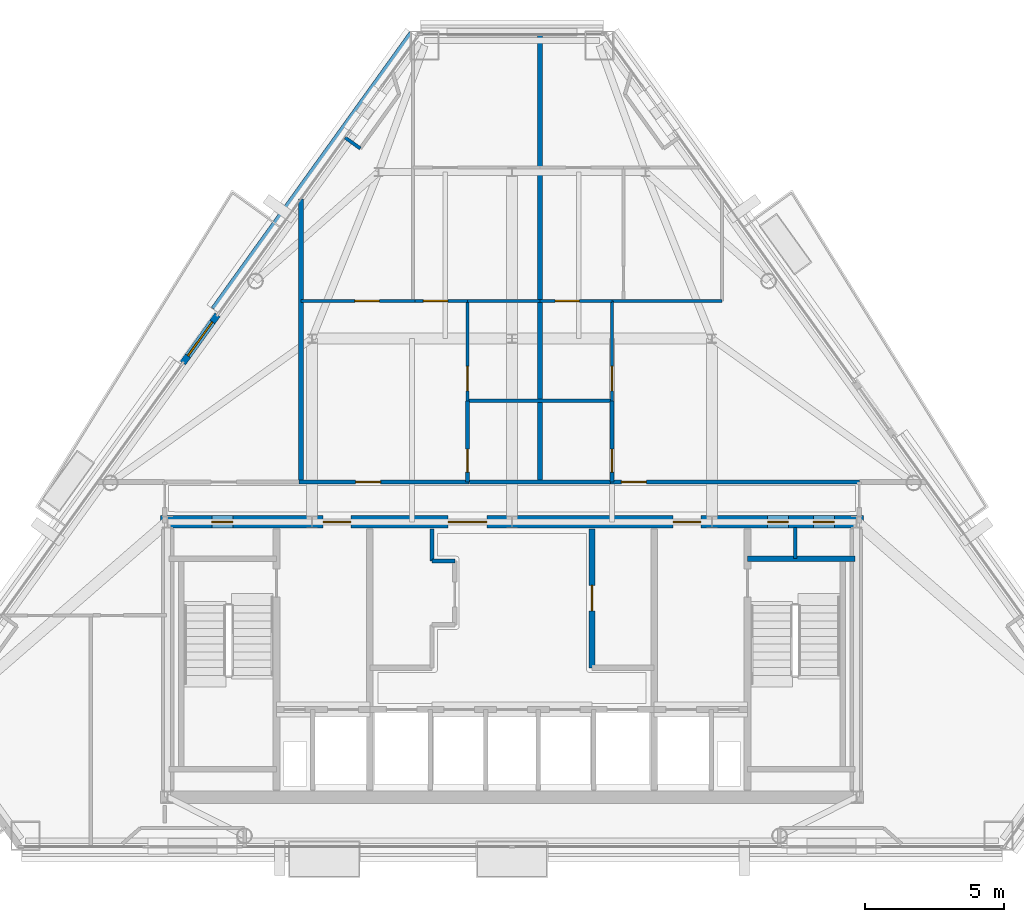
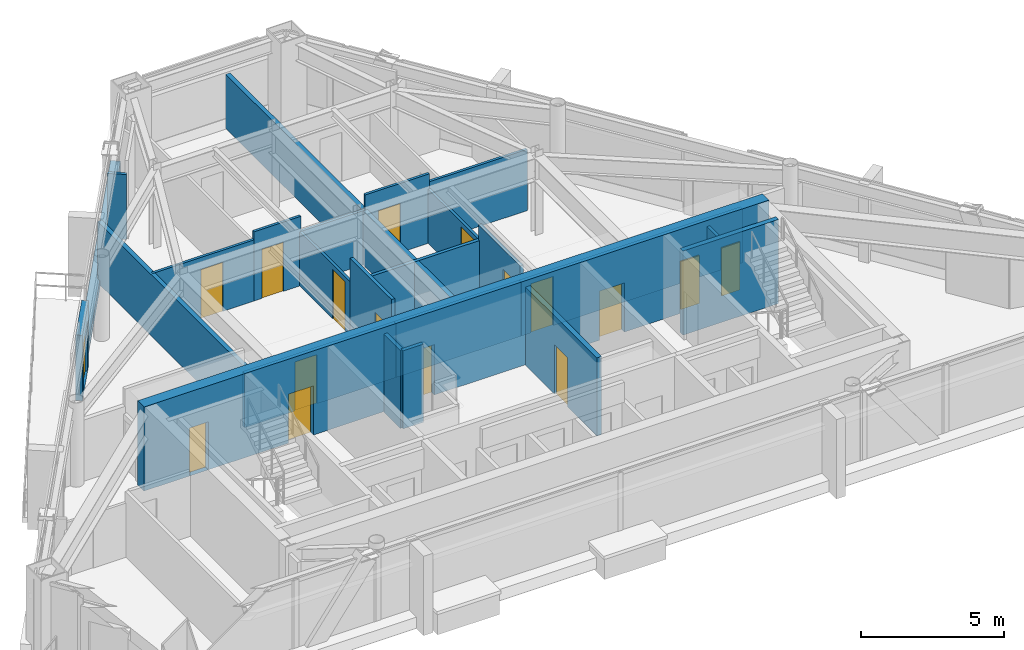
# One storey, part 8 of 11: 24 walls, 17 doors, 17 openings.
"""IFC4 building model written with IfcOpenShell, lengths in metres."""

from ifc_helpers import new_model, si_unit, direction, frame, frame_2d, origin, place, context, subcontext, project, spatial, rectangle, extrude, material, layer, layer_set, type_object, element, fill, save


model = new_model("IFC4")

# Units and contexts
model_context = context("Model", 3, precision=1e-05, world=origin(), true_north=direction((0.0, 1.0)))
body_context = subcontext(model_context, "Body", "Model", "MODEL_VIEW")
ifc_project = project(units=[si_unit("LENGTHUNIT", "METRE"), si_unit("AREAUNIT", "SQUARE_METRE"), si_unit("VOLUMEUNIT", "CUBIC_METRE"), si_unit("PLANEANGLEUNIT", "RADIAN"), si_unit("MASSUNIT", "GRAM", prefix="KILO")], contexts=[model_context])

# Site, building, storey
site_placement = place(None, origin())
site = spatial("IfcSite", under=ifc_project, at=site_placement, CompositionType="ELEMENT")
building_placement = place(site_placement, origin())
building = spatial("IfcBuilding", under=site, at=building_placement, Name="Talgorran Terracotta Tower", CompositionType="ELEMENT")
storey_placement = place(building_placement, frame((0.0, 0.0, 210.89990234375)))
storey = spatial("IfcBuildingStorey", under=building, at=storey_placement, Name="L55", CompositionType="ELEMENT", Elevation=210.89990234375)

# Wall, opening, door
ifc_material_1 = material(Name="Concrete C40/50", Category="concrete")
ifc_layer_1 = layer(ifc_material_1, 0.239990234375, Name="WT_BALCONY_SPAND")
ifc_layer_set_1 = layer_set([ifc_layer_1], Name="Concrete C40/50")
wall_type_1 = type_object("IfcWallType", Name="WT_BALCONY_SPAND", PredefinedType="STANDARD", material=ifc_layer_set_1)
wall_1_placement = place(storey_placement, frame((-10.60107421875, 3.2587890625, -0.014892578125), z_axis=(0.0, 0.0, 1.0), x_axis=(-0.583556118157, -0.812072815061, 0.0)))
wall_1 = element("IfcWall", 1, at=wall_1_placement, inside=storey, type_object=wall_type_1, Name="WL-L55-BALP-BAL-NW", PredefinedType="STANDARD", context=body_context, shape_type="SweptSolid", body=[
    extrude(rectangle(XDim=2.139892578125, YDim=0.239990234375, at=frame_2d((1.06982421875, 0.0))), origin(), (0.0, 0.0, 1.0), 2.802001953125),
])
opening_1_placement = place(wall_1_placement, frame((0.320068359375, 0.0, 0.014892578125)))
opening_1 = element("IfcOpeningElement", 2, at=opening_1_placement, cuts=wall_1, Name="Opening D-BAL-L55-2", PredefinedType="OPENING", context=body_context, shape_type="SweptSolid", body=[
    extrude(rectangle(XDim=1.506, YDim=2.203951171875, at=frame_2d((0.75, 1.10205078125))), frame((0.0, 0.1298828125, 0.0), z_axis=(0.0, -1.0, 0.0), x_axis=(1.0, 0.0, 0.0)), (0.0, 0.0, 1.0), 0.260009765625),
])
ifc_material_2 = material(Name="Thermally Broken Aluminium", Category="aluminium")
door_type_1 = type_object("IfcDoorType", Name="DT_BALC_1500", OperationType="SLIDING_TO_RIGHT", PredefinedType="DOOR", material=ifc_material_2)
door_1_placement = place(opening_1_placement, origin())
door_1 = element("IfcDoor", 3, at=door_1_placement, inside=storey, type_object=door_type_1, Name="DR-L55-BAL-BAL-NW", OperationType="SLIDING_TO_RIGHT", OverallHeight=2.199951171875, OverallWidth=1.5, PredefinedType="DOOR", context=body_context, shape_type="SweptSolid", body=[
    extrude(rectangle(XDim=1.5, YDim=2.199951171875, at=frame_2d((0.75, 1.10009765625))), frame((0.0, 0.02490234375, 0.0), z_axis=(0.0, -1.0, 0.0), x_axis=(1.0, 0.0, 0.0)), (0.0, 0.0, 1.0), 0.050048828125),
])
fill(opening_1, door_1)

# Wall
ifc_material_3 = material(Name="Concrete C50/60", Category="concrete")
ifc_layer_2 = layer(ifc_material_3, 0.199951171875, Name="WT_CORE_200")
ifc_layer_set_2 = layer_set([ifc_layer_2], Name="Concrete C50/60")
wall_type_2 = type_object("IfcWallType", Name="WT_CORE_200", PredefinedType="SOLIDWALL", material=ifc_layer_set_2)
wall_2_placement = place(storey_placement, frame((8.47998046875, -5.52001953125, 0.0), z_axis=(0.0, 0.0, 1.0), x_axis=(1.0, 0.0, 0.0)))
element("IfcWall", 4, at=wall_2_placement, inside=storey, type_object=wall_type_2, Name="WL-L55-CW-ST2-N", PredefinedType="SOLIDWALL", context=body_context, shape_type="SweptSolid", body=[
    extrude(rectangle(XDim=3.8701171875, YDim=0.199951171875, at=frame_2d((1.93505859375, 0.0))), origin(), (0.0, 0.0, 1.0), 3.60009765625),
])

# Wall, opening, door
wall_3_placement = place(storey_placement, frame((2.8798828125, -9.449951171875, 0.0), z_axis=(0.0, 0.0, 1.0), x_axis=(0.0, 1.0, 0.0)))
wall_3 = element("IfcWall", 5, at=wall_3_placement, inside=storey, type_object=wall_type_2, Name="WL-L55-CW-V-E3", PredefinedType="SOLIDWALL", context=body_context, shape_type="SweptSolid", body=[
    extrude(rectangle(XDim=5.0, YDim=0.199951171875, at=frame_2d((2.5, 0.0))), origin(), (0.0, 0.0, 1.0), 3.34521484375),
])
opening_2_placement = place(wall_3_placement, frame((2.050048828125, 0.0, 0.0)))
opening_2 = element("IfcOpeningElement", 6, at=opening_2_placement, cuts=wall_3, Name="Opening DR-FRPLM-A", PredefinedType="OPENING", context=body_context, shape_type="SweptSolid", body=[
    extrude(rectangle(XDim=0.925921875, YDim=2.10409765625, at=frame_2d((0.4599609375, 1.052001953125))), frame((0.0, 0.10986328125, 0.0), z_axis=(0.0, -1.0, 0.0), x_axis=(1.0, 0.0, 0.0)), (0.0, 0.0, 1.0), 0.219970703125),
])
ifc_material_4 = material(Name="Solid-Core Painted Timber", Category="wood")
door_type_2 = type_object("IfcDoorType", Name="DT_INT_920", OperationType="NOTDEFINED", PredefinedType="DOOR", material=ifc_material_4)
door_2_placement = place(opening_2_placement, origin())
door_2 = element("IfcDoor", 7, at=door_2_placement, inside=storey, type_object=door_type_2, Name="DR-FRPLM-A", OperationType="SINGLE_SWING_RIGHT", OverallHeight=2.10009765625, OverallWidth=0.919921875, PredefinedType="DOOR", context=body_context, shape_type="SweptSolid", body=[
    extrude(rectangle(XDim=0.919921875, YDim=2.10009765625, at=frame_2d((0.4599609375, 1.050048828125))), frame((0.0, 0.02490234375, 0.0), z_axis=(0.0, -1.0, 0.0), x_axis=(1.0, 0.0, 0.0)), (0.0, 0.0, 1.0), 0.050048828125),
])
fill(opening_2, door_2)

# Wall, openings, doors
ifc_material_5 = material(Name="Concrete C65/80", Category="concrete")
ifc_layer_3 = layer(ifc_material_5, 0.449951171875, Name="WT_CORE_EXT")
ifc_layer_set_3 = layer_set([ifc_layer_3], Name="Concrete C65/80")
wall_type_3 = type_object("IfcWallType", Name="WT_CORE_EXT", PredefinedType="SHEAR", material=ifc_layer_set_3)
wall_4_placement = place(storey_placement, frame((-12.64990234375, -4.199951171875, 0.0), z_axis=(0.0, 0.0, 1.0), x_axis=(1.0, 0.0, 0.0)))
wall_4 = element("IfcWall", 8, at=wall_4_placement, inside=storey, type_object=wall_type_3, Name="WL-L55-CW-OUT-N", PredefinedType="SHEAR", context=body_context, shape_type="SweptSolid", body=[
    extrude(rectangle(XDim=25.2998046875, YDim=0.449951171875, at=frame_2d((12.64990234375, 0.0))), origin(), (0.0, 0.0, 1.0), 3.60009765625),
])
opening_3_placement = place(wall_4_placement, frame((1.85009765625, 0.0, 0.0)))
opening_3 = element("IfcOpeningElement", 9, at=opening_3_placement, cuts=wall_4, Name="Opening DR-CSN1", PredefinedType="OPENING", context=body_context, shape_type="SweptSolid", body=[
    extrude(rectangle(XDim=0.756, YDim=2.054048828125, at=frame_2d((0.375, 1.027099609375))), frame((0.0, 0.23486328125, 0.0), z_axis=(0.0, -1.0, 0.0), x_axis=(1.0, 0.0, 0.0)), (0.0, 0.0, 1.0), 0.469970703125),
])
opening_4_placement = place(wall_4_placement, frame((21.85009765625, 0.0, 0.0)))
opening_4 = element("IfcOpeningElement", 10, at=opening_4_placement, cuts=wall_4, Name="Opening DR-CSN2", PredefinedType="OPENING", context=body_context, shape_type="SweptSolid", body=[
    extrude(rectangle(XDim=0.756, YDim=2.054048828125, at=frame_2d((0.375, 1.027099609375))), frame((0.0, 0.23486328125, 0.0), z_axis=(0.0, -1.0, 0.0), x_axis=(1.0, 0.0, 0.0)), (0.0, 0.0, 1.0), 0.469970703125),
])
opening_5_placement = place(wall_4_placement, frame((23.5, 0.0, 0.0)))
opening_5 = element("IfcOpeningElement", 11, at=opening_5_placement, cuts=wall_4, Name="Opening DR-CSN3", PredefinedType="OPENING", context=body_context, shape_type="SweptSolid", body=[
    extrude(rectangle(XDim=0.756, YDim=2.054048828125, at=frame_2d((0.375, 1.027099609375))), frame((0.0, 0.23486328125, 0.0), z_axis=(0.0, -1.0, 0.0), x_axis=(1.0, 0.0, 0.0)), (0.0, 0.0, 1.0), 0.469970703125),
])
opening_6_placement = place(wall_4_placement, frame((5.85009765625, 0.0, 0.0)))
opening_6 = element("IfcOpeningElement", 12, at=opening_6_placement, cuts=wall_4, Name="Opening DR-FFLW-N", PredefinedType="OPENING", context=body_context, shape_type="SweptSolid", body=[
    extrude(rectangle(XDim=1.006, YDim=2.10409765625, at=frame_2d((0.5, 1.052001953125))), frame((0.0, 0.23486328125, 0.0), z_axis=(0.0, -1.0, 0.0), x_axis=(1.0, 0.0, 0.0)), (0.0, 0.0, 1.0), 0.469970703125),
])
opening_7_placement = place(wall_4_placement, frame((10.35009765625, 0.0, 0.0)))
opening_7 = element("IfcOpeningElement", 13, at=opening_7_placement, cuts=wall_4, Name="Opening DR-PLL-N", PredefinedType="OPENING", context=body_context, shape_type="SweptSolid", body=[
    extrude(rectangle(XDim=1.40590234375, YDim=2.15390234375, at=frame_2d((0.699951171875, 1.076904296875))), frame((0.0, 0.23486328125, 0.0), z_axis=(0.0, -1.0, 0.0), x_axis=(1.0, 0.0, 0.0)), (0.0, 0.0, 1.0), 0.469970703125),
])
opening_8_placement = place(wall_4_placement, frame((18.449951171875, 0.0, 0.0)))
opening_8 = element("IfcOpeningElement", 14, at=opening_8_placement, cuts=wall_4, Name="Opening DR-FFLE-N", PredefinedType="OPENING", context=body_context, shape_type="SweptSolid", body=[
    extrude(rectangle(XDim=1.006, YDim=2.10409765625, at=frame_2d((0.5, 1.052001953125))), frame((0.0, 0.23486328125, 0.0), z_axis=(0.0, -1.0, 0.0), x_axis=(1.0, 0.0, 0.0)), (0.0, 0.0, 1.0), 0.469970703125),
])
ifc_material_6 = material(Name="Acoustic Glazed Timber", Category="wood")
door_type_3 = type_object("IfcDoorType", Name="DT_DOUBLE_1400", OperationType="DOUBLE_DOOR_SINGLE_SWING", PredefinedType="DOOR", material=ifc_material_6)
door_3_placement = place(opening_7_placement, origin())
door_3 = element("IfcDoor", 15, at=door_3_placement, inside=storey, type_object=door_type_3, Name="DR-PLL-N", OperationType="DOUBLE_DOOR_SINGLE_SWING", OverallHeight=2.14990234375, OverallWidth=1.39990234375, PredefinedType="DOOR", context=body_context, shape_type="SweptSolid", body=[
    extrude(rectangle(XDim=1.39990234375, YDim=2.14990234375, at=frame_2d((0.699951171875, 1.074951171875))), frame((0.0, 0.02490234375, 0.0), z_axis=(0.0, -1.0, 0.0), x_axis=(1.0, 0.0, 0.0)), (0.0, 0.0, 1.0), 0.050048828125),
])
fill(opening_7, door_3)
ifc_material_7 = material(Name="Fire-Rated Pressed Steel", Category="steel")
door_type_4 = type_object("IfcDoorType", Name="DT_FIRE_1000", OperationType="NOTDEFINED", PredefinedType="DOOR", material=ifc_material_7)
door_4_placement = place(opening_6_placement, origin())
door_4 = element("IfcDoor", 16, at=door_4_placement, inside=storey, type_object=door_type_4, Name="DR-FFLW-N", OperationType="SINGLE_SWING_LEFT", OverallHeight=2.10009765625, OverallWidth=1.0, PredefinedType="DOOR", context=body_context, shape_type="SweptSolid", body=[
    extrude(rectangle(XDim=1.0, YDim=2.10009765625, at=frame_2d((0.5, 1.050048828125))), frame((0.0, 0.02490234375, 0.0), z_axis=(0.0, -1.0, 0.0), x_axis=(1.0, 0.0, 0.0)), (0.0, 0.0, 1.0), 0.050048828125),
])
fill(opening_6, door_4)
door_5_placement = place(opening_8_placement, origin())
door_5 = element("IfcDoor", 17, at=door_5_placement, inside=storey, type_object=door_type_4, Name="DR-FFLE-N", OperationType="SINGLE_SWING_RIGHT", OverallHeight=2.10009765625, OverallWidth=1.0, PredefinedType="DOOR", context=body_context, shape_type="SweptSolid", body=[
    extrude(rectangle(XDim=1.0, YDim=2.10009765625, at=frame_2d((0.5, 1.050048828125))), frame((0.0, 0.02490234375, 0.0), z_axis=(0.0, -1.0, 0.0), x_axis=(1.0, 0.0, 0.0)), (0.0, 0.0, 1.0), 0.050048828125),
])
fill(opening_8, door_5)
door_type_5 = type_object("IfcDoorType", Name="DT_RISER_750", OperationType="NOTDEFINED", PredefinedType="DOOR", material=ifc_material_7)
door_6_placement = place(opening_3_placement, origin())
door_6 = element("IfcDoor", 18, at=door_6_placement, inside=storey, type_object=door_type_5, Name="DR-CSN1", OperationType="SINGLE_SWING_LEFT", OverallHeight=2.050048828125, OverallWidth=0.75, PredefinedType="DOOR", context=body_context, shape_type="SweptSolid", body=[
    extrude(rectangle(XDim=0.75, YDim=2.050048828125, at=frame_2d((0.375, 1.02490234375))), frame((0.0, 0.02490234375, 0.0), z_axis=(0.0, -1.0, 0.0), x_axis=(1.0, 0.0, 0.0)), (0.0, 0.0, 1.0), 0.050048828125),
])
fill(opening_3, door_6)
door_7_placement = place(opening_4_placement, origin())
door_7 = element("IfcDoor", 19, at=door_7_placement, inside=storey, type_object=door_type_5, Name="DR-CSN2", OperationType="SINGLE_SWING_LEFT", OverallHeight=2.050048828125, OverallWidth=0.75, PredefinedType="DOOR", context=body_context, shape_type="SweptSolid", body=[
    extrude(rectangle(XDim=0.75, YDim=2.050048828125, at=frame_2d((0.375, 1.02490234375))), frame((0.0, 0.02490234375, 0.0), z_axis=(0.0, -1.0, 0.0), x_axis=(1.0, 0.0, 0.0)), (0.0, 0.0, 1.0), 0.050048828125),
])
fill(opening_4, door_7)
door_8_placement = place(opening_5_placement, origin())
door_8 = element("IfcDoor", 20, at=door_8_placement, inside=storey, type_object=door_type_5, Name="DR-CSN3", OperationType="SINGLE_SWING_RIGHT", OverallHeight=2.050048828125, OverallWidth=0.75, PredefinedType="DOOR", context=body_context, shape_type="SweptSolid", body=[
    extrude(rectangle(XDim=0.75, YDim=2.050048828125, at=frame_2d((0.375, 1.02490234375))), frame((0.0, 0.02490234375, 0.0), z_axis=(0.0, -1.0, 0.0), x_axis=(1.0, 0.0, 0.0)), (0.0, 0.0, 1.0), 0.050048828125),
])
fill(opening_5, door_8)

# Walls
ifc_material_8 = material(Name="Fire-Rated Steel Stud Plasterboard", Category="steel")
ifc_layer_4 = layer(ifc_material_8, 0.14990234375, Name="WT_FIRE_150")
ifc_layer_set_4 = layer_set([ifc_layer_4], Name="Fire-Rated Steel Stud Plasterboard")
wall_type_4 = type_object("IfcWallType", Name="WT_FIRE_150", PredefinedType="PARTITIONING", material=ifc_layer_set_4)
wall_5_placement = place(storey_placement, frame((-2.8798828125, -5.60009765625, 0.0), z_axis=(0.0, 0.0, 1.0), x_axis=(1.0, 0.0, 0.0)))
element("IfcWall", 21, at=wall_5_placement, inside=storey, type_object=wall_type_4, Name="WL-L55-CW-H-W3D", PredefinedType="PARTITIONING", context=body_context, shape_type="SweptSolid", body=[
    extrude(rectangle(XDim=0.81982421875, YDim=0.14990234375, at=frame_2d((0.409912109375, 0.0))), origin(), (0.0, 0.0, 1.0), 3.34521484375),
])
wall_6_placement = place(storey_placement, frame((-2.8798828125, -5.60009765625, 0.0), z_axis=(0.0, 0.0, 1.0), x_axis=(0.0, 1.0, 0.0)))
element("IfcWall", 22, at=wall_6_placement, inside=storey, type_object=wall_type_4, Name="WL-L55-CW-V-W3E", PredefinedType="PARTITIONING", context=body_context, shape_type="SweptSolid", body=[
    extrude(rectangle(XDim=1.150146484375, YDim=0.14990234375, at=frame_2d((0.5751953125, 0.0))), origin(), (0.0, 0.0, 1.0), 3.34521484375),
])

# Wall, opening, door
wall_7_placement = place(storey_placement, frame((3.5400390625, -2.760009765625, 0.0), z_axis=(0.0, 0.0, 1.0), x_axis=(1.0, 0.0, 0.0)))
wall_7 = element("IfcWall", 23, at=wall_7_placement, inside=storey, type_object=wall_type_4, Name="WL-L55-W-L55-R07", PredefinedType="PARTITIONING", context=body_context, shape_type="SweptSolid", body=[
    extrude(rectangle(XDim=8.9599609375, YDim=0.14990234375, at=frame_2d((4.47998046875, 0.0))), origin(), (0.0, 0.0, 1.0), 2.320068359375),
])
opening_9_placement = place(wall_7_placement, frame((0.3994140625, 0.0, 0.0)))
opening_9 = element("IfcOpeningElement", 24, at=opening_9_placement, cuts=wall_7, Name="Opening DR-L55-R14", PredefinedType="OPENING", context=body_context, shape_type="SweptSolid", body=[
    extrude(rectangle(XDim=0.90590234375, YDim=2.10409765625, at=frame_2d((0.449951171875, 1.052001953125))), frame((0.0, 0.0849609375, 0.0), z_axis=(0.0, -1.0, 0.0), x_axis=(1.0, 0.0, 0.0)), (0.0, 0.0, 1.0), 0.169921875),
])
ifc_material_9 = material(Name="Fire-Rated Timber Core", Category="wood")
door_type_6 = type_object("IfcDoorType", Name="DT_FIRE_900", OperationType="NOTDEFINED", PredefinedType="DOOR", material=ifc_material_9)
door_9_placement = place(opening_9_placement, origin())
door_9 = element("IfcDoor", 25, at=door_9_placement, inside=storey, type_object=door_type_6, Name="DR-L55-R14", OperationType="SINGLE_SWING_RIGHT", OverallHeight=2.10009765625, OverallWidth=0.89990234375, PredefinedType="DOOR", context=body_context, shape_type="SweptSolid", body=[
    extrude(rectangle(XDim=0.89990234375, YDim=2.10009765625, at=frame_2d((0.449951171875, 1.050048828125))), frame((0.0, 0.02490234375, 0.0), z_axis=(0.0, -1.0, 0.0), x_axis=(1.0, 0.0, 0.0)), (0.0, 0.0, 1.0), 0.050048828125),
])
fill(opening_9, door_9)

wall_8_placement = place(storey_placement, frame((-7.659912109375, -2.760009765625, 0.0), z_axis=(0.0, 0.0, 1.0), x_axis=(1.0, 0.0, 0.0)))
wall_8 = element("IfcWall", 26, at=wall_8_placement, inside=storey, type_object=wall_type_4, Name="WL-L55-W-L55-R05", PredefinedType="PARTITIONING", context=body_context, shape_type="SweptSolid", body=[
    extrude(rectangle(XDim=6.119873046875, YDim=0.14990234375, at=frame_2d((3.06005859375, 0.0))), origin(), (0.0, 0.0, 1.0), 2.320068359375),
])
opening_10_placement = place(wall_8_placement, frame((2.0322265625, 0.0, 0.0)))
opening_10 = element("IfcOpeningElement", 27, at=opening_10_placement, cuts=wall_8, Name="Opening DR-L55-R08", PredefinedType="OPENING", context=body_context, shape_type="SweptSolid", body=[
    extrude(rectangle(XDim=0.90590234375, YDim=2.10409765625, at=frame_2d((0.449951171875, 1.052001953125))), frame((0.0, 0.0849609375, 0.0), z_axis=(0.0, -1.0, 0.0), x_axis=(1.0, 0.0, 0.0)), (0.0, 0.0, 1.0), 0.169921875),
])
door_10_placement = place(opening_10_placement, origin())
door_10 = element("IfcDoor", 28, at=door_10_placement, inside=storey, type_object=door_type_6, Name="DR-L55-R08", OperationType="SINGLE_SWING_RIGHT", OverallHeight=2.10009765625, OverallWidth=0.89990234375, PredefinedType="DOOR", context=body_context, shape_type="SweptSolid", body=[
    extrude(rectangle(XDim=0.89990234375, YDim=2.10009765625, at=frame_2d((0.449951171875, 1.050048828125))), frame((0.0, 0.02490234375, 0.0), z_axis=(0.0, -1.0, 0.0), x_axis=(1.0, 0.0, 0.0)), (0.0, 0.0, 1.0), 0.050048828125),
])
fill(opening_10, door_10)

# Walls
wall_9_placement = place(storey_placement, frame((-1.5380859375, -2.760009765625, 0.0), z_axis=(0.0, 0.0, 1.0), x_axis=(1.0, 0.0, 0.0)))
element("IfcWall", 29, at=wall_9_placement, inside=storey, type_object=wall_type_4, Name="WL-L55-W-L55-R06", PredefinedType="PARTITIONING", context=body_context, shape_type="SweptSolid", body=[
    extrude(rectangle(XDim=5.076171875, YDim=0.14990234375, at=frame_2d((2.5380859375, 0.0))), origin(), (0.0, 0.0, 1.0), 2.320068359375),
])
ifc_layer_5 = layer(ifc_material_1, 0.219970703125, Name="WT_PARAPET_RC")
ifc_layer_set_5 = layer_set([ifc_layer_5], Name="Concrete C40/50")
wall_type_5 = type_object("IfcWallType", Name="WT_PARAPET_RC", PredefinedType="PARAPET", material=ifc_layer_set_5)
wall_10_placement = place(storey_placement, frame((-3.5498046875, 13.345458984375, -0.199951171875), z_axis=(0.0, 0.0, 1.0), x_axis=(-0.583557390206, -0.812071900964, 0.0)))
element("IfcWall", 30, at=wall_10_placement, inside=storey, type_object=wall_type_5, Name="L55 Striped Portal Precast Cornice F60", PredefinedType="PARAPET", context=body_context, shape_type="SweptSolid", body=[
    extrude(rectangle(XDim=12.2158203125, YDim=0.360107421875, at=frame_2d((6.10791015625, 0.0))), origin(), (0.0, 0.0, 1.0), 0.380126953125),
])
ifc_material_10 = material(Name="Acoustic Stud and Plasterboard")
ifc_layer_6 = layer(ifc_material_10, 0.179931640625, Name="WT_PARTY_200")
ifc_layer_set_6 = layer_set([ifc_layer_6], Name="Acoustic Stud and Plasterboard")
wall_type_6 = type_object("IfcWallType", Name="WT_PARTY_200", PredefinedType="PARTITIONING", material=ifc_layer_set_6)
wall_11_placement = place(storey_placement, frame((-7.60009765625, -2.760009765625, 0.0), z_axis=(0.0, 0.0, 1.0), x_axis=(0.0, 1.0, 0.0)))
element("IfcWall", 31, at=wall_11_placement, inside=storey, type_object=wall_type_6, Name="WL-L55-W-L55-R13", PredefinedType="PARTITIONING", context=body_context, shape_type="SweptSolid", body=[
    extrude(rectangle(XDim=10.195068359375, YDim=0.179931640625, at=frame_2d((5.09765625, 0.0))), origin(), (0.0, 0.0, 1.0), 2.6201171875),
])
wall_12_placement = place(storey_placement, frame((1.0, -2.760009765625, 0.0), z_axis=(0.0, 0.0, 1.0), x_axis=(0.0, 1.0, 0.0)))
element("IfcWall", 32, at=wall_12_placement, inside=storey, type_object=wall_type_6, Name="WL-L55-W-L55-R26", PredefinedType="PARTITIONING", context=body_context, shape_type="SweptSolid", body=[
    extrude(rectangle(XDim=16.109619140625, YDim=0.179931640625, at=frame_2d((8.0546875, 0.0))), origin(), (0.0, 0.0, 1.0), 2.320068359375),
])

# Wall, opening, door
ifc_material_11 = material(Name="Lightweight Steel Stud Partition", Category="steel")
ifc_layer_7 = layer(ifc_material_11, 0.10498046875, Name="WT_PART_110")
ifc_layer_set_7 = layer_set([ifc_layer_7], Name="Lightweight Steel Stud Partition")
wall_type_7 = type_object("IfcWallType", Name="WT_PART_110", PredefinedType="PARTITIONING", material=ifc_layer_set_7)
wall_13_placement = place(storey_placement, frame((-7.60009765625, 3.760009765625, 0.0), z_axis=(0.0, 0.0, 1.0), x_axis=(1.0, 0.0, 0.0)))
wall_13 = element("IfcWall", 33, at=wall_13_placement, inside=storey, type_object=wall_type_7, Name="WL-L55-W-L55-R21", PredefinedType="PARTITIONING", context=body_context, shape_type="SweptSolid", body=[
    extrude(rectangle(XDim=4.10009765625, YDim=0.10498046875, at=frame_2d((2.050048828125, 0.0))), origin(), (0.0, 0.0, 1.0), 2.6201171875),
])
opening_11_placement = place(wall_13_placement, frame((1.94775390625, 0.0, 0.0)))
opening_11 = element("IfcOpeningElement", 34, at=opening_11_placement, cuts=wall_13, Name="Opening DR-L55-R09", PredefinedType="OPENING", context=body_context, shape_type="SweptSolid", body=[
    extrude(rectangle(XDim=0.8858828125, YDim=2.10409765625, at=frame_2d((0.43994140625, 1.052001953125))), frame((0.0, 0.0625, 0.0), z_axis=(0.0, -1.0, 0.0), x_axis=(1.0, 0.0, 0.0)), (0.0, 0.0, 1.0), 0.125),
])
door_type_7 = type_object("IfcDoorType", Name="DT_INT_880", OperationType="NOTDEFINED", PredefinedType="DOOR", material=ifc_material_4)
door_11_placement = place(opening_11_placement, origin())
door_11 = element("IfcDoor", 35, at=door_11_placement, inside=storey, type_object=door_type_7, Name="DR-L55-R09", OperationType="SINGLE_SWING_LEFT", OverallHeight=2.10009765625, OverallWidth=0.8798828125, PredefinedType="DOOR", context=body_context, shape_type="SweptSolid", body=[
    extrude(rectangle(XDim=0.8798828125, YDim=2.10009765625, at=frame_2d((0.43994140625, 1.050048828125))), frame((0.0, 0.02490234375, 0.0), z_axis=(0.0, -1.0, 0.0), x_axis=(1.0, 0.0, 0.0)), (0.0, 0.0, 1.0), 0.050048828125),
])
fill(opening_11, door_11)

wall_14_placement = place(storey_placement, frame((-1.60009765625, 0.159912109375, 0.0), z_axis=(0.0, 0.0, 1.0), x_axis=(0.0, 1.0, 0.0)))
wall_14 = element("IfcWall", 36, at=wall_14_placement, inside=storey, type_object=wall_type_7, Name="WL-L55-W-L55-R18", PredefinedType="PARTITIONING", context=body_context, shape_type="SweptSolid", body=[
    extrude(rectangle(XDim=3.60009765625, YDim=0.10498046875, at=frame_2d((1.800048828125, 0.0))), origin(), (0.0, 0.0, 1.0), 2.320068359375),
])
opening_12_placement = place(wall_14_placement, frame((0.360107421875, 0.0, 0.0)))
opening_12 = element("IfcOpeningElement", 37, at=opening_12_placement, cuts=wall_14, Name="Opening DR-L55-R07", PredefinedType="OPENING", context=body_context, shape_type="SweptSolid", body=[
    extrude(rectangle(XDim=0.8858828125, YDim=2.10409765625, at=frame_2d((0.43994140625, 1.052001953125))), frame((0.0, 0.0625, 0.0), z_axis=(0.0, -1.0, 0.0), x_axis=(1.0, 0.0, 0.0)), (0.0, 0.0, 1.0), 0.125),
])
door_12_placement = place(opening_12_placement, origin())
door_12 = element("IfcDoor", 38, at=door_12_placement, inside=storey, type_object=door_type_7, Name="DR-L55-R07", OperationType="SINGLE_SWING_LEFT", OverallHeight=2.10009765625, OverallWidth=0.8798828125, PredefinedType="DOOR", context=body_context, shape_type="SweptSolid", body=[
    extrude(rectangle(XDim=0.8798828125, YDim=2.10009765625, at=frame_2d((0.43994140625, 1.050048828125))), frame((0.0, 0.02490234375, 0.0), z_axis=(0.0, -1.0, 0.0), x_axis=(1.0, 0.0, 0.0)), (0.0, 0.0, 1.0), 0.050048828125),
])
fill(opening_12, door_12)

wall_15_placement = place(storey_placement, frame((3.60009765625, 0.159912109375, 0.0), z_axis=(0.0, 0.0, 1.0), x_axis=(0.0, 1.0, 0.0)))
wall_15 = element("IfcWall", 39, at=wall_15_placement, inside=storey, type_object=wall_type_7, Name="WL-L55-W-L55-R30", PredefinedType="PARTITIONING", context=body_context, shape_type="SweptSolid", body=[
    extrude(rectangle(XDim=3.60009765625, YDim=0.10498046875, at=frame_2d((1.800048828125, 0.0))), origin(), (0.0, 0.0, 1.0), 2.320068359375),
])
opening_13_placement = place(wall_15_placement, frame((0.360107421875, 0.0, 0.0)))
opening_13 = element("IfcOpeningElement", 40, at=opening_13_placement, cuts=wall_15, Name="Opening DR-L55-R13", PredefinedType="OPENING", context=body_context, shape_type="SweptSolid", body=[
    extrude(rectangle(XDim=0.8858828125, YDim=2.10409765625, at=frame_2d((0.43994140625, 1.052001953125))), frame((0.0, 0.0625, 0.0), z_axis=(0.0, -1.0, 0.0), x_axis=(1.0, 0.0, 0.0)), (0.0, 0.0, 1.0), 0.125),
])
door_13_placement = place(opening_13_placement, origin())
door_13 = element("IfcDoor", 41, at=door_13_placement, inside=storey, type_object=door_type_7, Name="DR-L55-R13", OperationType="SINGLE_SWING_LEFT", OverallHeight=2.10009765625, OverallWidth=0.8798828125, PredefinedType="DOOR", context=body_context, shape_type="SweptSolid", body=[
    extrude(rectangle(XDim=0.8798828125, YDim=2.10009765625, at=frame_2d((0.43994140625, 1.050048828125))), frame((0.0, 0.02490234375, 0.0), z_axis=(0.0, -1.0, 0.0), x_axis=(1.0, 0.0, 0.0)), (0.0, 0.0, 1.0), 0.050048828125),
])
fill(opening_13, door_13)

# Walls
wall_16_placement = place(storey_placement, frame((3.60009765625, 3.760009765625, 0.0), z_axis=(0.0, 0.0, 1.0), x_axis=(1.0, 0.0, 0.0)))
element("IfcWall", 42, at=wall_16_placement, inside=storey, type_object=wall_type_7, Name="WL-L55-W-L55-R33", PredefinedType="PARTITIONING", context=body_context, shape_type="SweptSolid", body=[
    extrude(rectangle(XDim=3.9599609375, YDim=0.10498046875, at=frame_2d((1.97998046875, 0.0))), origin(), (0.0, 0.0, 1.0), 2.6201171875),
])
wall_17_placement = place(storey_placement, frame((-1.60009765625, 3.760009765625, 0.0), z_axis=(0.0, 0.0, 1.0), x_axis=(1.0, 0.0, 0.0)))
element("IfcWall", 43, at=wall_17_placement, inside=storey, type_object=wall_type_7, Name="WL-L55-W-L55-R19", PredefinedType="PARTITIONING", context=body_context, shape_type="SweptSolid", body=[
    extrude(rectangle(XDim=2.60009765625, YDim=0.10498046875, at=frame_2d((1.300048828125, 0.0))), origin(), (0.0, 0.0, 1.0), 2.320068359375),
])

# Wall, opening, door
wall_18_placement = place(storey_placement, frame((1.0, 3.760009765625, 0.0), z_axis=(0.0, 0.0, 1.0), x_axis=(1.0, 0.0, 0.0)))
wall_18 = element("IfcWall", 44, at=wall_18_placement, inside=storey, type_object=wall_type_7, Name="WL-L55-W-L55-R31", PredefinedType="PARTITIONING", context=body_context, shape_type="SweptSolid", body=[
    extrude(rectangle(XDim=2.60009765625, YDim=0.10498046875, at=frame_2d((1.300048828125, 0.0))), origin(), (0.0, 0.0, 1.0), 2.964599609375),
])
opening_14_placement = place(wall_18_placement, frame((0.54833984375, 0.0, 0.0)))
opening_14 = element("IfcOpeningElement", 45, at=opening_14_placement, cuts=wall_18, Name="Opening DR-L55-R17", PredefinedType="OPENING", context=body_context, shape_type="SweptSolid", body=[
    extrude(rectangle(XDim=0.8858828125, YDim=2.10409765625, at=frame_2d((0.43994140625, 1.052001953125))), frame((0.0, 0.0625, 0.0), z_axis=(0.0, -1.0, 0.0), x_axis=(1.0, 0.0, 0.0)), (0.0, 0.0, 1.0), 0.125),
])
door_14_placement = place(opening_14_placement, origin())
door_14 = element("IfcDoor", 46, at=door_14_placement, inside=storey, type_object=door_type_7, Name="DR-L55-R17", OperationType="SINGLE_SWING_LEFT", OverallHeight=2.10009765625, OverallWidth=0.8798828125, PredefinedType="DOOR", context=body_context, shape_type="SweptSolid", body=[
    extrude(rectangle(XDim=0.8798828125, YDim=2.10009765625, at=frame_2d((0.43994140625, 1.050048828125))), frame((0.0, 0.02490234375, 0.0), z_axis=(0.0, -1.0, 0.0), x_axis=(1.0, 0.0, 0.0)), (0.0, 0.0, 1.0), 0.050048828125),
])
fill(opening_14, door_14)

wall_19_placement = place(storey_placement, frame((-3.498046875, 3.760009765625, 0.0), z_axis=(0.0, 0.0, 1.0), x_axis=(1.0, 0.0, 0.0)))
wall_19 = element("IfcWall", 47, at=wall_19_placement, inside=storey, type_object=wall_type_7, Name="WL-L55-W-L55-R22", PredefinedType="PARTITIONING", context=body_context, shape_type="SweptSolid", body=[
    extrude(rectangle(XDim=1.89794921875, YDim=0.10498046875, at=frame_2d((0.948974609375, 0.0))), origin(), (0.0, 0.0, 1.0), 2.964599609375),
])
opening_15_placement = place(wall_19_placement, frame((0.31103515625, 0.0, 0.0)))
opening_15 = element("IfcOpeningElement", 48, at=opening_15_placement, cuts=wall_19, Name="Opening DR-L55-R10", PredefinedType="OPENING", context=body_context, shape_type="SweptSolid", body=[
    extrude(rectangle(XDim=0.8858828125, YDim=2.10409765625, at=frame_2d((0.43994140625, 1.052001953125))), frame((0.0, 0.0625, 0.0), z_axis=(0.0, -1.0, 0.0), x_axis=(1.0, 0.0, 0.0)), (0.0, 0.0, 1.0), 0.125),
])
door_15_placement = place(opening_15_placement, origin())
door_15 = element("IfcDoor", 49, at=door_15_placement, inside=storey, type_object=door_type_7, Name="DR-L55-R10", OperationType="SINGLE_SWING_RIGHT", OverallHeight=2.10009765625, OverallWidth=0.8798828125, PredefinedType="DOOR", context=body_context, shape_type="SweptSolid", body=[
    extrude(rectangle(XDim=0.8798828125, YDim=2.10009765625, at=frame_2d((0.43994140625, 1.050048828125))), frame((0.0, 0.02490234375, 0.0), z_axis=(0.0, -1.0, 0.0), x_axis=(1.0, 0.0, 0.0)), (0.0, 0.0, 1.0), 0.050048828125),
])
fill(opening_15, door_15)

# Walls
ifc_material_12 = material(Name="Insulated Steel Stud Plasterboard", Category="steel")
ifc_layer_8 = layer(ifc_material_12, 0.1201171875, Name="WT_PART_120")
ifc_layer_set_8 = layer_set([ifc_layer_8], Name="Insulated Steel Stud Plasterboard")
wall_type_8 = type_object("IfcWallType", Name="WT_PART_120", PredefinedType="PARTITIONING", material=ifc_layer_set_8)
wall_20_placement = place(storey_placement, frame((10.199951171875, -5.52001953125, 0.0), z_axis=(0.0, 0.0, 1.0), x_axis=(0.0, 1.0, 0.0)))
element("IfcWall", 50, at=wall_20_placement, inside=storey, type_object=wall_type_8, Name="WL-L55-CW-CSE-DIV", PredefinedType="PARTITIONING", context=body_context, shape_type="SweptSolid", body=[
    extrude(rectangle(XDim=1.1201171875, YDim=0.1201171875, at=frame_2d((0.56005859375, 0.0))), origin(), (0.0, 0.0, 1.0), 3.34521484375),
])
wall_21_placement = place(storey_placement, frame((-5.46142578125, 9.24560546875, 0.0), z_axis=(0.0, 0.0, 1.0), x_axis=(-0.812031557065, 0.583613528227, 0.0)))
element("IfcWall", 51, at=wall_21_placement, inside=storey, type_object=wall_type_8, Name="WL-L55-BW-L55-15", PredefinedType="PARTITIONING", context=body_context, shape_type="SweptSolid", body=[
    extrude(rectangle(XDim=0.670166015625, YDim=0.1201171875, at=frame_2d((0.3349609375, 0.0))), origin(), (0.0, 0.0, 1.0), 2.787109375),
])

# Wall, opening, door
ifc_material_13 = material(Name="Moisture-Resistant Stud Wall")
ifc_layer_9 = layer(ifc_material_13, 0.135009765625, Name="WT_PART_135")
ifc_layer_set_9 = layer_set([ifc_layer_9], Name="Moisture-Resistant Stud Wall")
wall_type_9 = type_object("IfcWallType", Name="WT_PART_135", PredefinedType="PARTITIONING", material=ifc_layer_set_9)
wall_22_placement = place(storey_placement, frame((-1.60009765625, -2.760009765625, 0.0), z_axis=(0.0, 0.0, 1.0), x_axis=(0.0, 1.0, 0.0)))
wall_22 = element("IfcWall", 52, at=wall_22_placement, inside=storey, type_object=wall_type_9, Name="WL-L55-W-L55-R16", PredefinedType="PARTITIONING", context=body_context, shape_type="SweptSolid", body=[
    extrude(rectangle(XDim=2.919921875, YDim=0.135009765625, at=frame_2d((1.4599609375, 0.0))), origin(), (0.0, 0.0, 1.0), 3.34521484375),
])
opening_16_placement = place(wall_22_placement, frame((0.357421875, 0.0, 0.0)))
opening_16 = element("IfcOpeningElement", 53, at=opening_16_placement, cuts=wall_22, Name="Opening DR-L55-R06", PredefinedType="OPENING", context=body_context, shape_type="SweptSolid", body=[
    extrude(rectangle(XDim=0.826068359375, YDim=2.10409765625, at=frame_2d((0.41015625, 1.052001953125))), frame((0.0, 0.07763671875, 0.0), z_axis=(0.0, -1.0, 0.0), x_axis=(1.0, 0.0, 0.0)), (0.0, 0.0, 1.0), 0.155029296875),
])
ifc_material_14 = material(Name="Moisture-Resistant Solid Timber", Category="wood")
door_type_8 = type_object("IfcDoorType", Name="DT_INT_820", OperationType="NOTDEFINED", PredefinedType="DOOR", material=ifc_material_14)
door_16_placement = place(opening_16_placement, origin())
door_16 = element("IfcDoor", 54, at=door_16_placement, inside=storey, type_object=door_type_8, Name="DR-L55-R06", OperationType="SINGLE_SWING_RIGHT", OverallHeight=2.10009765625, OverallWidth=0.820068359375, PredefinedType="DOOR", context=body_context, shape_type="SweptSolid", body=[
    extrude(rectangle(XDim=0.820068359375, YDim=2.10009765625, at=frame_2d((0.41015625, 1.050048828125))), frame((0.0, 0.02490234375, 0.0), z_axis=(0.0, -1.0, 0.0), x_axis=(1.0, 0.0, 0.0)), (0.0, 0.0, 1.0), 0.050048828125),
])
fill(opening_16, door_16)

wall_23_placement = place(storey_placement, frame((3.60009765625, -2.760009765625, 0.0), z_axis=(0.0, 0.0, 1.0), x_axis=(0.0, 1.0, 0.0)))
wall_23 = element("IfcWall", 55, at=wall_23_placement, inside=storey, type_object=wall_type_9, Name="WL-L55-W-L55-R29", PredefinedType="PARTITIONING", context=body_context, shape_type="SweptSolid", body=[
    extrude(rectangle(XDim=2.919921875, YDim=0.135009765625, at=frame_2d((1.4599609375, 0.0))), origin(), (0.0, 0.0, 1.0), 2.964599609375),
])
opening_17_placement = place(wall_23_placement, frame((0.357421875, 0.0, 0.0)))
opening_17 = element("IfcOpeningElement", 56, at=opening_17_placement, cuts=wall_23, Name="Opening DR-L55-R12", PredefinedType="OPENING", context=body_context, shape_type="SweptSolid", body=[
    extrude(rectangle(XDim=0.826068359375, YDim=2.10409765625, at=frame_2d((0.41015625, 1.052001953125))), frame((0.0, 0.07763671875, 0.0), z_axis=(0.0, -1.0, 0.0), x_axis=(1.0, 0.0, 0.0)), (0.0, 0.0, 1.0), 0.155029296875),
])
door_17_placement = place(opening_17_placement, origin())
door_17 = element("IfcDoor", 57, at=door_17_placement, inside=storey, type_object=door_type_8, Name="DR-L55-R12", OperationType="SINGLE_SWING_RIGHT", OverallHeight=2.10009765625, OverallWidth=0.820068359375, PredefinedType="DOOR", context=body_context, shape_type="SweptSolid", body=[
    extrude(rectangle(XDim=0.820068359375, YDim=2.10009765625, at=frame_2d((0.41015625, 1.050048828125))), frame((0.0, 0.02490234375, 0.0), z_axis=(0.0, -1.0, 0.0), x_axis=(1.0, 0.0, 0.0)), (0.0, 0.0, 1.0), 0.050048828125),
])
fill(opening_17, door_17)

# Wall
wall_24_placement = place(storey_placement, frame((-1.60009765625, 0.159912109375, 0.0), z_axis=(0.0, 0.0, 1.0), x_axis=(1.0, 0.0, 0.0)))
element("IfcWall", 58, at=wall_24_placement, inside=storey, type_object=wall_type_9, Name="WL-L55-W-L55-R15", PredefinedType="PARTITIONING", context=body_context, shape_type="SweptSolid", body=[
    extrude(rectangle(XDim=5.2001953125, YDim=0.135009765625, at=frame_2d((2.60009765625, 0.0))), origin(), (0.0, 0.0, 1.0), 2.320068359375),
])

save(model, "model.ifc")
